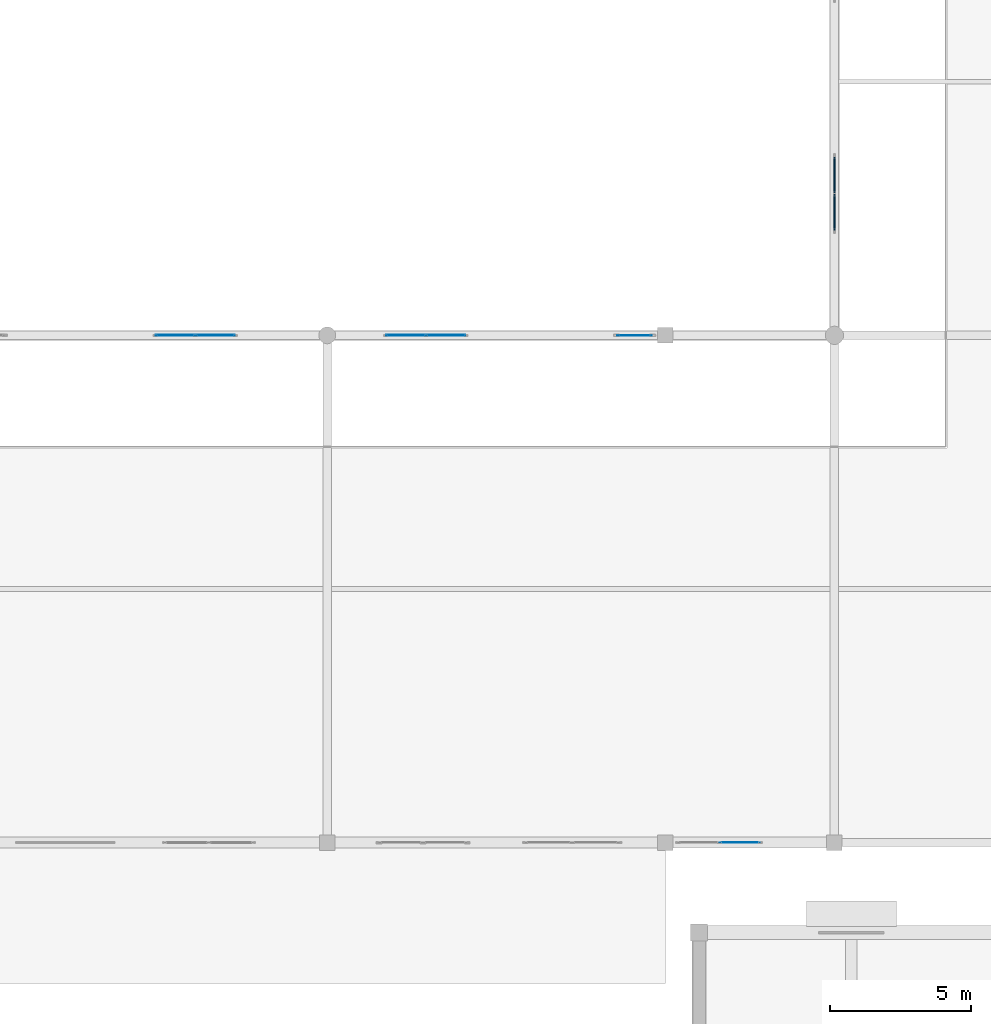
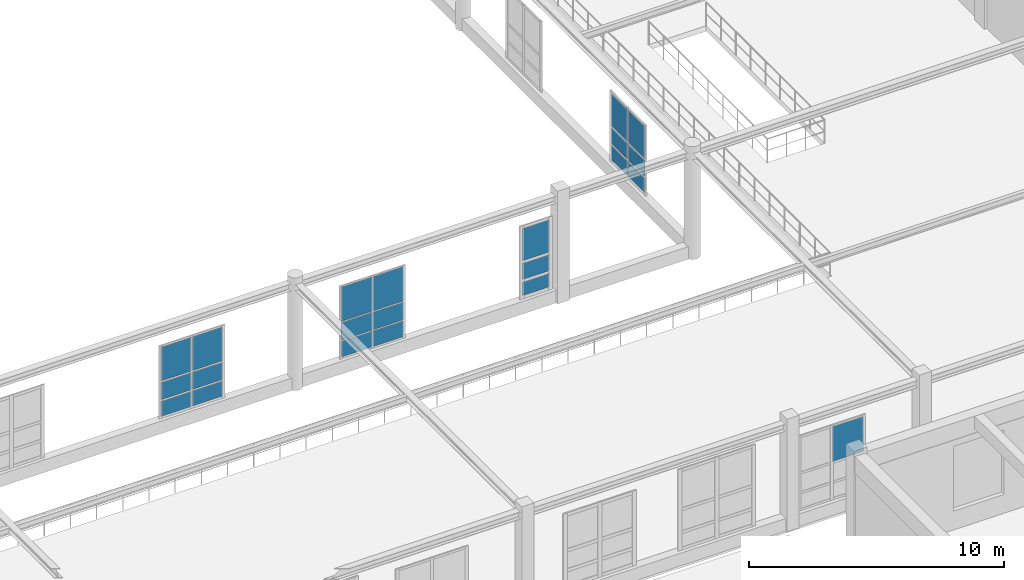
# One storey, part 158 of 197: 22 plates, 5 elements without a shape of their own.
"""IFC4 building model written with IfcOpenShell, lengths in metres."""

from ifc_helpers import new_model, si_unit, derived_unit, direction, frame, origin, origin_2d, place, context, subcontext, project, spatial, rectangle, extrude, material, layer, layer_set, type_object, element, aggregate, save


model = new_model("IFC4")

# Units and contexts
model_context = context("Model", 3, precision=1e-05, world=origin(), true_north=direction((0.0, 1.0)))
body_context = subcontext(model_context, "Body", "Model", "MODEL_VIEW")
ifc_project = project(units=[si_unit("LENGTHUNIT", "METRE"), si_unit("AREAUNIT", "SQUARE_METRE"), si_unit("VOLUMEUNIT", "CUBIC_METRE"), si_unit("PLANEANGLEUNIT", "RADIAN"), si_unit("MASSUNIT", "GRAM", prefix="KILO"), derived_unit("THERMALTRANSMITTANCEUNIT", [(si_unit("POWERUNIT", "WATT"), 1), (si_unit("LENGTHUNIT", "METRE"), -2), (si_unit("THERMODYNAMICTEMPERATUREUNIT", "KELVIN"), -1)])], contexts=[model_context])

# Site, building, storey
site_placement = place(None, origin())
site = spatial("IfcSite", under=ifc_project, at=site_placement, CompositionType="ELEMENT")
building_placement = place(site_placement, origin())
building = spatial("IfcBuilding", under=site, at=building_placement, Name="Almenara Railside Exhibition Hall", CompositionType="ELEMENT")
storey_placement = place(building_placement, frame((0.0, 0.0, 5.39990234375)))
storey = spatial("IfcBuildingStorey", under=building, at=storey_placement, Name="L01", CompositionType="ELEMENT", Elevation=5.39990234375)

# Curtain wall, plates
ifc_material_1 = material(Name="Bronze-anodised aluminium and low-E double glazing", Category="aluminium")
ifc_layer_1 = layer(ifc_material_1, 0.179931640625, Name="Bronze-anodised aluminium and low-E double glazing")
ifc_layer_set_1 = layer_set([ifc_layer_1], Name="Bronze-anodised aluminium and low-E double glazing")
curtain_wall_type_1 = type_object("IfcCurtainWallType", Name="Courtyard East Galeria Curtain Wall 2900x3500", PredefinedType="NOTDEFINED", material=ifc_layer_set_1)
curtain_wall_1_placement = place(storey_placement, origin())
curtain_wall_1 = element("IfcCurtainWall", 1, at=curtain_wall_1_placement, inside=storey, type_object=curtain_wall_type_1, Name="Curtain wall CW-CY2-145", PredefinedType="NOTDEFINED")
ifc_material_2 = material(Name="Solar-control acoustic laminated glazing", Category="glass")
ifc_layer_2 = layer(ifc_material_2, 0.031982421875, Name="Solar-control acoustic laminated glazing")
ifc_layer_set_2 = layer_set([ifc_layer_2], Name="Solar-control acoustic laminated glazing")
plate_type_1 = type_object("IfcPlateType", Name="Acoustic Low-E Double Glazing Panel 32mm", PredefinedType="CURTAIN_PANEL", material=ifc_layer_set_2)
plate_1_placement = place(storey_placement, frame((96.603515625, 54.0, 0.69384765625), z_axis=(0.0, 0.0, 1.0), x_axis=(1.0, 0.0, 0.0)))
plate_1 = element("IfcPlate", 2, at=plate_1_placement, type_object=plate_type_1, Name="CW-CY2-145 panel 1.1", PredefinedType="CURTAIN_PANEL", context=body_context, shape_type="SweptSolid", body=[
    extrude(rectangle(XDim=1.3759765625, YDim=0.031982421875, at=origin_2d()), origin(), (0.0, 0.0, 1.0), 0.717041015625),
])
plate_2_placement = place(storey_placement, frame((96.603515625, 54.0, 1.4892578125), z_axis=(0.0, 0.0, 1.0), x_axis=(1.0, 0.0, 0.0)))
plate_2 = element("IfcPlate", 3, at=plate_2_placement, type_object=plate_type_1, Name="CW-CY2-145 panel 1.2", PredefinedType="CURTAIN_PANEL", context=body_context, shape_type="SweptSolid", body=[
    extrude(rectangle(XDim=1.3759765625, YDim=0.031982421875, at=origin_2d()), origin(), (0.0, 0.0, 1.0), 0.822021484375),
])
plate_3_placement = place(storey_placement, frame((96.603515625, 54.0, 2.38916015625), z_axis=(0.0, 0.0, 1.0), x_axis=(1.0, 0.0, 0.0)))
plate_3 = element("IfcPlate", 4, at=plate_3_placement, type_object=plate_type_1, Name="CW-CY2-145 panel 1.3", PredefinedType="CURTAIN_PANEL", context=body_context, shape_type="SweptSolid", body=[
    extrude(rectangle(XDim=1.3759765625, YDim=0.031982421875, at=origin_2d()), origin(), (0.0, 0.0, 1.0), 1.616943359375),
])
plate_4_placement = place(storey_placement, frame((98.023681640625, 54.0, 0.69384765625), z_axis=(0.0, 0.0, 1.0), x_axis=(1.0, 0.0, 0.0)))
plate_4 = element("IfcPlate", 5, at=plate_4_placement, type_object=plate_type_1, Name="CW-CY2-145 panel 2.1", PredefinedType="CURTAIN_PANEL", context=body_context, shape_type="SweptSolid", body=[
    extrude(rectangle(XDim=1.3759765625, YDim=0.031982421875, at=origin_2d()), origin(), (0.0, 0.0, 1.0), 0.717041015625),
])
plate_5_placement = place(storey_placement, frame((98.023681640625, 54.0, 1.4892578125), z_axis=(0.0, 0.0, 1.0), x_axis=(1.0, 0.0, 0.0)))
plate_5 = element("IfcPlate", 6, at=plate_5_placement, type_object=plate_type_1, Name="CW-CY2-145 panel 2.2", PredefinedType="CURTAIN_PANEL", context=body_context, shape_type="SweptSolid", body=[
    extrude(rectangle(XDim=1.3759765625, YDim=0.031982421875, at=origin_2d()), origin(), (0.0, 0.0, 1.0), 0.822021484375),
])
plate_6_placement = place(storey_placement, frame((98.023681640625, 54.0, 2.38916015625), z_axis=(0.0, 0.0, 1.0), x_axis=(1.0, 0.0, 0.0)))
plate_6 = element("IfcPlate", 7, at=plate_6_placement, type_object=plate_type_1, Name="CW-CY2-145 panel 2.3", PredefinedType="CURTAIN_PANEL", context=body_context, shape_type="SweptSolid", body=[
    extrude(rectangle(XDim=1.3759765625, YDim=0.031982421875, at=origin_2d()), origin(), (0.0, 0.0, 1.0), 1.616943359375),
])
aggregate(curtain_wall_1, [plate_1, plate_2, plate_3, plate_4, plate_5, plate_6])

# Curtain wall, plate
ifc_layer_3 = layer(ifc_material_1, 0.179931640625, Name="Bronze-anodised aluminium and low-E double glazing")
ifc_layer_set_3 = layer_set([ifc_layer_3], Name="Bronze-anodised aluminium and low-E double glazing")
curtain_wall_type_2 = type_object("IfcCurtainWallType", Name="Concourse Bridge Curtain Wall 3200x3600", PredefinedType="NOTDEFINED", material=ifc_layer_set_3)
curtain_wall_2_placement = place(storey_placement, origin())
curtain_wall_2 = element("IfcCurtainWall", 8, at=curtain_wall_2_placement, inside=storey, type_object=curtain_wall_type_2, Name="Curtain wall CW-PC3-137", PredefinedType="NOTDEFINED")
ifc_material_3 = material(Name="Clear low-E laminated double glazing", Category="glass")
ifc_layer_4 = layer(ifc_material_3, 0.02392578125, Name="Clear low-E laminated double glazing")
ifc_layer_set_4 = layer_set([ifc_layer_4], Name="Clear low-E laminated double glazing")
plate_type_2 = type_object("IfcPlateType", Name="Courtyard Clear Double Glazing Panel 24mm", PredefinedType="CURTAIN_PANEL", material=ifc_layer_set_4)
plate_7_placement = place(storey_placement, frame((116.638671875, 36.0, 2.439208984375), z_axis=(0.0, 0.0, 1.0), x_axis=(1.0, 0.0, 0.0)))
plate_7 = element("IfcPlate", 9, at=plate_7_placement, type_object=plate_type_2, Name="CW-PC3-137 panel 2.3", PredefinedType="CURTAIN_PANEL", context=body_context, shape_type="SweptSolid", body=[
    extrude(rectangle(XDim=1.41845703125, YDim=0.02392578125, at=origin_2d()), origin(), (0.0, 0.0, 1.0), 1.6669921875),
])
aggregate(curtain_wall_2, [plate_7])

# Curtain wall, plates
curtain_wall_3_placement = place(storey_placement, origin())
curtain_wall_3 = element("IfcCurtainWall", 10, at=curtain_wall_3_placement, inside=storey, type_object=curtain_wall_type_1, Name="Curtain wall CW-CY2-147", PredefinedType="NOTDEFINED")
plate_8_placement = place(storey_placement, frame((112.90625, 54.0, 0.744140625), z_axis=(0.0, 0.0, 1.0), x_axis=(1.0, 0.0, 0.0)))
plate_8 = element("IfcPlate", 11, at=plate_8_placement, type_object=plate_type_2, Name="CW-CY2-147 panel 1.1", PredefinedType="CURTAIN_PANEL", context=body_context, shape_type="SweptSolid", body=[
    extrude(rectangle(XDim=1.233642578125, YDim=0.02392578125, at=origin_2d()), origin(), (0.0, 0.0, 1.0), 0.64208984375),
])
plate_9_placement = place(storey_placement, frame((112.90625, 54.0, 1.51416015625), z_axis=(0.0, 0.0, 1.0), x_axis=(1.0, 0.0, 0.0)))
plate_9 = element("IfcPlate", 12, at=plate_9_placement, type_object=plate_type_2, Name="CW-CY2-147 panel 1.2", PredefinedType="CURTAIN_PANEL", context=body_context, shape_type="SweptSolid", body=[
    extrude(rectangle(XDim=1.233642578125, YDim=0.02392578125, at=origin_2d()), origin(), (0.0, 0.0, 1.0), 0.77197265625),
])
plate_10_placement = place(storey_placement, frame((112.90625, 54.0, 2.4140625), z_axis=(0.0, 0.0, 1.0), x_axis=(1.0, 0.0, 0.0)))
plate_10 = element("IfcPlate", 13, at=plate_10_placement, type_object=plate_type_2, Name="CW-CY2-147 panel 1.3", PredefinedType="CURTAIN_PANEL", context=body_context, shape_type="SweptSolid", body=[
    extrude(rectangle(XDim=1.233642578125, YDim=0.02392578125, at=origin_2d()), origin(), (0.0, 0.0, 1.0), 1.5419921875),
])
aggregate(curtain_wall_3, [plate_8, plate_9, plate_10])

ifc_layer_5 = layer(ifc_material_1, 0.179931640625, Name="Bronze-anodised aluminium and low-E double glazing")
ifc_layer_set_5 = layer_set([ifc_layer_5], Name="Bronze-anodised aluminium and low-E double glazing")
curtain_wall_type_3 = type_object("IfcCurtainWallType", Name="Courtyard South Galeria Curtain Wall 2700x3400", PredefinedType="NOTDEFINED", material=ifc_layer_set_5)
curtain_wall_4_placement = place(storey_placement, origin())
curtain_wall_4 = element("IfcCurtainWall", 14, at=curtain_wall_4_placement, inside=storey, type_object=curtain_wall_type_3, Name="Curtain wall CW-CY3-148", PredefinedType="NOTDEFINED")
ifc_material_4 = material(Name="Bronze-anodised insulated aluminium spandrel", Category="aluminium")
ifc_layer_6 = layer(ifc_material_4, 0.0400390625, Name="Bronze-anodised insulated aluminium spandrel")
ifc_layer_set_6 = layer_set([ifc_layer_6], Name="Bronze-anodised insulated aluminium spandrel")
plate_type_3 = type_object("IfcPlateType", Name="Insulated Bronze Spandrel Panel 40mm", PredefinedType="CURTAIN_PANEL", material=ifc_layer_set_6)
plate_11_placement = place(storey_placement, frame((120.0, 58.373046875, 0.72412109375), z_axis=(0.0, 0.0, 1.0), x_axis=(0.0, 1.0, 0.0)))
plate_11 = element("IfcPlate", 15, at=plate_11_placement, type_object=plate_type_3, Name="CW-CY3-148 panel 1.1", PredefinedType="CURTAIN_PANEL", context=body_context, shape_type="SweptSolid", body=[
    extrude(rectangle(XDim=1.2685546875, YDim=0.0400390625, at=origin_2d()), origin(), (0.0, 0.0, 1.0), 0.672119140625),
])
plate_12_placement = place(storey_placement, frame((120.0, 58.373046875, 1.50390625), z_axis=(0.0, 0.0, 1.0), x_axis=(0.0, 1.0, 0.0)))
plate_12 = element("IfcPlate", 16, at=plate_12_placement, type_object=plate_type_3, Name="CW-CY3-148 panel 1.2", PredefinedType="CURTAIN_PANEL", context=body_context, shape_type="SweptSolid", body=[
    extrude(rectangle(XDim=1.2685546875, YDim=0.0400390625, at=origin_2d()), origin(), (0.0, 0.0, 1.0), 0.741943359375),
])
plate_13_placement = place(storey_placement, frame((120.0, 58.373046875, 2.35400390625), z_axis=(0.0, 0.0, 1.0), x_axis=(0.0, 1.0, 0.0)))
plate_13 = element("IfcPlate", 17, at=plate_13_placement, type_object=plate_type_3, Name="CW-CY3-148 panel 1.3", PredefinedType="CURTAIN_PANEL", context=body_context, shape_type="SweptSolid", body=[
    extrude(rectangle(XDim=1.2685546875, YDim=0.0400390625, at=origin_2d()), origin(), (0.0, 0.0, 1.0), 1.52197265625),
])
plate_14_placement = place(storey_placement, frame((120.0, 59.6904296875, 0.72412109375), z_axis=(0.0, 0.0, 1.0), x_axis=(0.0, 1.0, 0.0)))
plate_14 = element("IfcPlate", 18, at=plate_14_placement, type_object=plate_type_3, Name="CW-CY3-148 panel 2.1", PredefinedType="CURTAIN_PANEL", context=body_context, shape_type="SweptSolid", body=[
    extrude(rectangle(XDim=1.2685546875, YDim=0.0400390625, at=origin_2d()), origin(), (0.0, 0.0, 1.0), 0.672119140625),
])
plate_15_placement = place(storey_placement, frame((120.0, 59.6904296875, 1.50390625), z_axis=(0.0, 0.0, 1.0), x_axis=(0.0, 1.0, 0.0)))
plate_15 = element("IfcPlate", 19, at=plate_15_placement, type_object=plate_type_3, Name="CW-CY3-148 panel 2.2", PredefinedType="CURTAIN_PANEL", context=body_context, shape_type="SweptSolid", body=[
    extrude(rectangle(XDim=1.2685546875, YDim=0.0400390625, at=origin_2d()), origin(), (0.0, 0.0, 1.0), 0.741943359375),
])
plate_16_placement = place(storey_placement, frame((120.0, 59.6904296875, 2.35400390625), z_axis=(0.0, 0.0, 1.0), x_axis=(0.0, 1.0, 0.0)))
plate_16 = element("IfcPlate", 20, at=plate_16_placement, type_object=plate_type_3, Name="CW-CY3-148 panel 2.3", PredefinedType="CURTAIN_PANEL", context=body_context, shape_type="SweptSolid", body=[
    extrude(rectangle(XDim=1.2685546875, YDim=0.0400390625, at=origin_2d()), origin(), (0.0, 0.0, 1.0), 1.52197265625),
])
aggregate(curtain_wall_4, [plate_11, plate_12, plate_13, plate_14, plate_15, plate_16])

curtain_wall_5_placement = place(storey_placement, origin())
curtain_wall_5 = element("IfcCurtainWall", 21, at=curtain_wall_5_placement, inside=storey, type_object=curtain_wall_type_1, Name="Curtain wall CW-CY2-146", PredefinedType="NOTDEFINED")
ifc_material_5 = material(Name="Solar-control low-E laminated double glazing", Category="glass")
ifc_layer_7 = layer(ifc_material_5, 0.028076171875, Name="Solar-control low-E laminated double glazing")
ifc_layer_set_7 = layer_set([ifc_layer_7], Name="Solar-control low-E laminated double glazing")
plate_type_4 = type_object("IfcPlateType", Name="Low-E Solar Control Double Glazing Panel 28mm", PredefinedType="CURTAIN_PANEL", material=ifc_layer_set_7)
plate_17_placement = place(storey_placement, frame((104.7841796875, 54.0, 0.674072265625), z_axis=(0.0, 0.0, 1.0), x_axis=(1.0, 0.0, 0.0)))
plate_17 = element("IfcPlate", 22, at=plate_17_placement, type_object=plate_type_4, Name="CW-CY2-146 panel 1.1", PredefinedType="CURTAIN_PANEL", context=body_context, shape_type="SweptSolid", body=[
    extrude(rectangle(XDim=1.383544921875, YDim=0.028076171875, at=origin_2d()), origin(), (0.0, 0.0, 1.0), 0.7470703125),
])
plate_18_placement = place(storey_placement, frame((104.7841796875, 54.0, 1.47900390625), z_axis=(0.0, 0.0, 1.0), x_axis=(1.0, 0.0, 0.0)))
plate_18 = element("IfcPlate", 23, at=plate_18_placement, type_object=plate_type_4, Name="CW-CY2-146 panel 1.2", PredefinedType="CURTAIN_PANEL", context=body_context, shape_type="SweptSolid", body=[
    extrude(rectangle(XDim=1.383544921875, YDim=0.028076171875, at=origin_2d()), origin(), (0.0, 0.0, 1.0), 0.842041015625),
])
plate_19_placement = place(storey_placement, frame((104.7841796875, 54.0, 2.379150390625), z_axis=(0.0, 0.0, 1.0), x_axis=(1.0, 0.0, 0.0)))
plate_19 = element("IfcPlate", 24, at=plate_19_placement, type_object=plate_type_4, Name="CW-CY2-146 panel 1.3", PredefinedType="CURTAIN_PANEL", context=body_context, shape_type="SweptSolid", body=[
    extrude(rectangle(XDim=1.383544921875, YDim=0.028076171875, at=origin_2d()), origin(), (0.0, 0.0, 1.0), 1.64697265625),
])
plate_20_placement = place(storey_placement, frame((106.206787109375, 54.0, 0.674072265625), z_axis=(0.0, 0.0, 1.0), x_axis=(1.0, 0.0, 0.0)))
plate_20 = element("IfcPlate", 25, at=plate_20_placement, type_object=plate_type_4, Name="CW-CY2-146 panel 2.1", PredefinedType="CURTAIN_PANEL", context=body_context, shape_type="SweptSolid", body=[
    extrude(rectangle(XDim=1.383544921875, YDim=0.028076171875, at=origin_2d()), origin(), (0.0, 0.0, 1.0), 0.7470703125),
])
plate_21_placement = place(storey_placement, frame((106.206787109375, 54.0, 1.47900390625), z_axis=(0.0, 0.0, 1.0), x_axis=(1.0, 0.0, 0.0)))
plate_21 = element("IfcPlate", 26, at=plate_21_placement, type_object=plate_type_4, Name="CW-CY2-146 panel 2.2", PredefinedType="CURTAIN_PANEL", context=body_context, shape_type="SweptSolid", body=[
    extrude(rectangle(XDim=1.383544921875, YDim=0.028076171875, at=origin_2d()), origin(), (0.0, 0.0, 1.0), 0.842041015625),
])
plate_22_placement = place(storey_placement, frame((106.206787109375, 54.0, 2.379150390625), z_axis=(0.0, 0.0, 1.0), x_axis=(1.0, 0.0, 0.0)))
plate_22 = element("IfcPlate", 27, at=plate_22_placement, type_object=plate_type_4, Name="CW-CY2-146 panel 2.3", PredefinedType="CURTAIN_PANEL", context=body_context, shape_type="SweptSolid", body=[
    extrude(rectangle(XDim=1.383544921875, YDim=0.028076171875, at=origin_2d()), origin(), (0.0, 0.0, 1.0), 1.64697265625),
])
aggregate(curtain_wall_5, [plate_17, plate_18, plate_19, plate_20, plate_21, plate_22])

save(model, "model.ifc")
